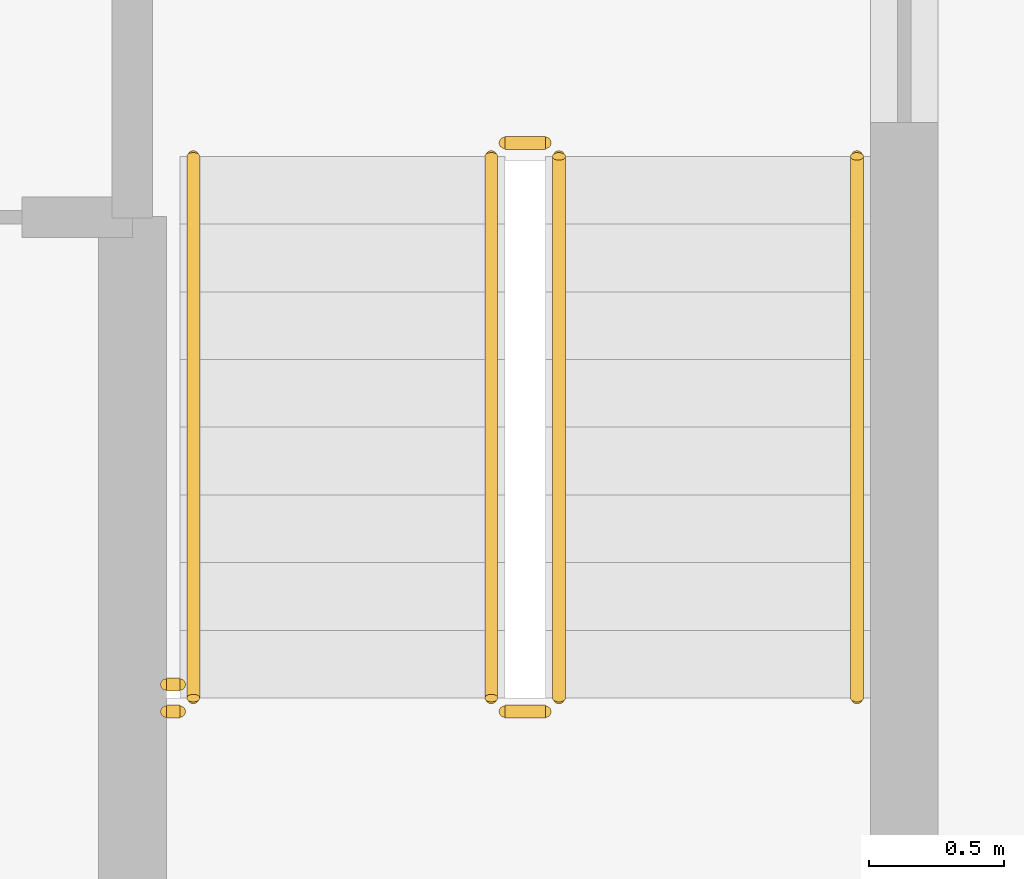
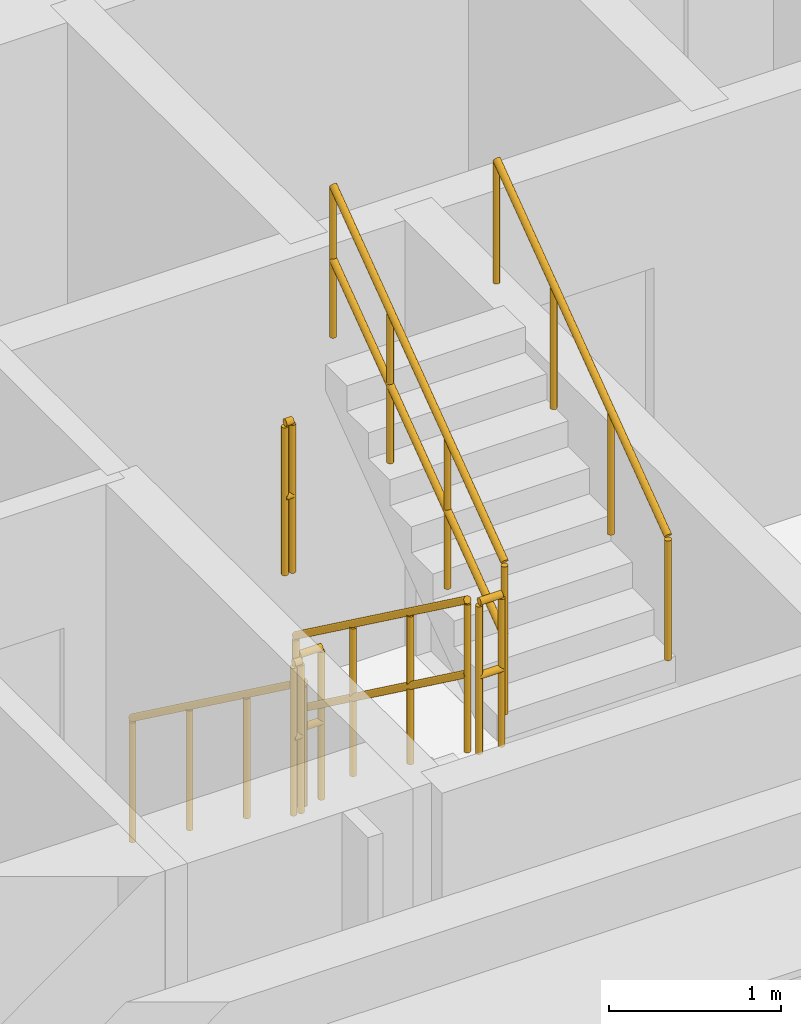
# One storey, part 15 of 18: 8 railings.
"""IFC4 building model written with IfcOpenShell, lengths in metres."""

from ifc_helpers import new_model, si_unit, direction, frame, origin, origin_2d, place, context, subcontext, project, spatial, circle, extrude, material, type_object, element, save


model = new_model("IFC4")

# Units and contexts
model_context = context("Model", 3, precision=1e-05, world=origin(), true_north=direction((0.0, 1.0)))
body_context = subcontext(model_context, "Body", "Model", "MODEL_VIEW")
ifc_project = project(units=[si_unit("LENGTHUNIT", "METRE"), si_unit("AREAUNIT", "SQUARE_METRE"), si_unit("VOLUMEUNIT", "CUBIC_METRE"), si_unit("PLANEANGLEUNIT", "RADIAN"), si_unit("MASSUNIT", "GRAM", prefix="KILO")], contexts=[model_context])

# Site, building, storey
site_placement = place(None, origin())
site = spatial("IfcSite", under=ifc_project, at=site_placement, CompositionType="ELEMENT")
building_placement = place(site_placement, origin())
building = spatial("IfcBuilding", under=site, at=building_placement, Name="Nakaniwa Court", CompositionType="ELEMENT")
storey_placement = place(building_placement, frame((0.0, 0.0, 176.699951171875)))
storey = spatial("IfcBuildingStorey", under=building, at=storey_placement, Name="L45", CompositionType="ELEMENT", Elevation=176.699951171875)

# Railings
ifc_material_1 = material(Name="Black powder coated steel guard", Category="steel")
railing_type_1 = type_object("IfcRailingType", Name="Stair guard 1100", PredefinedType="GUARDRAIL", material=ifc_material_1)
railing_1_placement = place(storey_placement, frame((81.875, 61.824951171875, 0.183349609375)))
element("IfcRailing", 1, at=railing_1_placement, inside=storey, type_object=railing_type_1, Name="L45 ST4 stair guard 1", PredefinedType="GUARDRAIL", context=body_context, shape_type="SweptSolid", body=[
    extrude(circle(Radius=0.02392578125, at=origin_2d()), frame((0.0, 0.0, 1.076171875), z_axis=(0.0, -0.806379959628, 0.591397802423), x_axis=(1.0, 0.0, 0.0)), (0.0, 0.0, 1.0), 2.480224609375),
    extrude(circle(Radius=0.02392578125, at=origin_2d()), frame((0.0, 0.0, 0.550048828125), z_axis=(0.0, -0.806379959628, 0.591397802423), x_axis=(1.0, 0.0, 0.0)), (0.0, 0.0, 1.0), 2.480224609375),
    extrude(circle(Radius=0.02099609375, at=origin_2d()), origin(), (0.0, 0.0, 1.0), 1.052001953125),
    extrude(circle(Radius=0.02099609375, at=origin_2d()), frame((0.0, -0.666748046875, 0.489013671875)), (0.0, 0.0, 1.0), 1.052001953125),
    extrude(circle(Radius=0.02099609375, at=origin_2d()), frame((0.0, -1.333251953125, 0.977783203125)), (0.0, 0.0, 1.0), 1.052001953125),
    extrude(circle(Radius=0.02099609375, at=origin_2d()), frame((0.0, -2.0, 1.466796875)), (0.0, 0.0, 1.0), 1.052001953125),
])
railing_2_placement = place(storey_placement, frame((81.925048828125, 59.77490234375, 1.650146484375)))
element("IfcRailing", 2, at=railing_2_placement, inside=storey, type_object=railing_type_1, Name="L45 ST4 stair guard 2", PredefinedType="GUARDRAIL", context=body_context, shape_type="SweptSolid", body=[
    extrude(circle(Radius=0.02392578125, at=origin_2d()), frame((0.0, 0.0, 1.076171875), z_axis=(1.0, 0.0, 0.0), x_axis=(0.0, 1.0, 0.0)), (0.0, 0.0, 1.0), 0.14990234375),
    extrude(circle(Radius=0.02392578125, at=origin_2d()), frame((0.0, 0.0, 0.550048828125), z_axis=(1.0, 0.0, 0.0), x_axis=(0.0, 1.0, 0.0)), (0.0, 0.0, 1.0), 0.14990234375),
    extrude(circle(Radius=0.02099609375, at=origin_2d()), origin(), (0.0, 0.0, 1.0), 1.052001953125),
    extrude(circle(Radius=0.02099609375, at=origin_2d()), frame((0.14990234375, 0.0, 0.0)), (0.0, 0.0, 1.0), 1.052001953125),
])
railing_3_placement = place(storey_placement, frame((82.125, 59.824951171875, 1.83349609375)))
element("IfcRailing", 3, at=railing_3_placement, inside=storey, type_object=railing_type_1, Name="L45 ST4 stair guard 3", PredefinedType="GUARDRAIL", context=body_context, shape_type="SweptSolid", body=[
    extrude(circle(Radius=0.02392578125, at=origin_2d()), frame((0.0, 0.0, 1.076171875), z_axis=(0.0, 0.806426902644, 0.591333789573), x_axis=(-1.0, 0.0, 0.0)), (0.0, 0.0, 1.0), 2.47998046875),
    extrude(circle(Radius=0.02392578125, at=origin_2d()), frame((0.0, 0.0, 0.550048828125), z_axis=(0.0, 0.806426902644, 0.591333789573), x_axis=(-1.0, 0.0, 0.0)), (0.0, 0.0, 1.0), 2.47998046875),
    extrude(circle(Radius=0.02099609375, at=origin_2d()), origin(), (0.0, 0.0, 1.0), 1.052001953125),
    extrude(circle(Radius=0.02099609375, at=origin_2d()), frame((0.0, 0.666748046875, 0.48876953125)), (0.0, 0.0, 1.0), 1.052001953125),
    extrude(circle(Radius=0.02099609375, at=origin_2d()), frame((0.0, 1.333251953125, 0.977783203125)), (0.0, 0.0, 1.0), 1.052001953125),
    extrude(circle(Radius=0.02099609375, at=origin_2d()), frame((0.0, 2.0, 1.466552734375)), (0.0, 0.0, 1.0), 1.052001953125),
])
railing_4_placement = place(storey_placement, frame((81.925048828125, 61.875, 0.0)))
element("IfcRailing", 4, at=railing_4_placement, inside=storey, type_object=railing_type_1, Name="L45 ST4 stair guard 4", PredefinedType="GUARDRAIL", context=body_context, shape_type="SweptSolid", body=[
    extrude(circle(Radius=0.02392578125, at=origin_2d()), frame((0.0, 0.0, 1.076171875), z_axis=(1.0, 0.0, 0.0), x_axis=(0.0, 1.0, 0.0)), (0.0, 0.0, 1.0), 0.14990234375),
    extrude(circle(Radius=0.02392578125, at=origin_2d()), frame((0.0, 0.0, 0.550048828125), z_axis=(1.0, 0.0, 0.0), x_axis=(0.0, 1.0, 0.0)), (0.0, 0.0, 1.0), 0.14990234375),
    extrude(circle(Radius=0.02099609375, at=origin_2d()), origin(), (0.0, 0.0, 1.0), 1.052001953125),
    extrude(circle(Radius=0.02099609375, at=origin_2d()), frame((0.14990234375, 0.0, 0.0)), (0.0, 0.0, 1.0), 1.052001953125),
])
for number, where, name in (
    (5, (80.675048828125, 59.77490234375, 1.650146484375), "L45 ST4 landing side guard 1W"),
    (6, (80.675048828125, 59.875, 3.300048828125), "L45 ST4 floor edge guard 1W"),
):
    element("IfcRailing", number, at=place(storey_placement, frame(where)), inside=storey, type_object=railing_type_1, Name=name, PredefinedType="GUARDRAIL", context=body_context, shape_type="SweptSolid", body=[
        extrude(circle(Radius=0.02392578125, at=origin_2d()), frame((0.0, 0.0, 1.076171875), z_axis=(1.0, 0.0, 0.0), x_axis=(0.0, 1.0, 0.0)), (0.0, 0.0, 1.0), 0.050048828125),
        extrude(circle(Radius=0.02392578125, at=origin_2d()), frame((0.0, 0.0, 0.550048828125), z_axis=(1.0, 0.0, 0.0), x_axis=(0.0, 1.0, 0.0)), (0.0, 0.0, 1.0), 0.050048828125),
        extrude(circle(Radius=0.02099609375, at=origin_2d()), origin(), (0.0, 0.0, 1.0), 1.052001953125),
        extrude(circle(Radius=0.02099609375, at=origin_2d()), frame((0.050048828125, 0.0, 0.0)), (0.0, 0.0, 1.0), 1.052001953125),
    ])
ifc_material_2 = material(Name="Black powder coated steel handrail", Category="steel")
railing_type_2 = type_object("IfcRailingType", Name="Stair handrail 900", PredefinedType="HANDRAIL", material=ifc_material_2)
railing_5_placement = place(storey_placement, frame((80.77490234375, 61.824951171875, 0.183349609375)))
element("IfcRailing", 7, at=railing_5_placement, inside=storey, type_object=railing_type_2, Name="L45 ST4 stair handrail 1", PredefinedType="HANDRAIL", context=body_context, shape_type="SweptSolid", body=[
    extrude(circle(Radius=0.02392578125, at=origin_2d()), frame((0.0, 0.0, 0.8759765625), z_axis=(0.0, -0.806379959628, 0.591397802423), x_axis=(1.0, 0.0, 0.0)), (0.0, 0.0, 1.0), 2.480224609375),
    extrude(circle(Radius=0.02099609375, at=origin_2d()), origin(), (0.0, 0.0, 1.0), 0.851806640625),
    extrude(circle(Radius=0.02099609375, at=origin_2d()), frame((0.0, -0.666748046875, 0.489013671875)), (0.0, 0.0, 1.0), 0.851806640625),
    extrude(circle(Radius=0.02099609375, at=origin_2d()), frame((0.0, -1.333251953125, 0.977783203125)), (0.0, 0.0, 1.0), 0.851806640625),
    extrude(circle(Radius=0.02099609375, at=origin_2d()), frame((0.0, -2.0, 1.466796875)), (0.0, 0.0, 1.0), 0.851806640625),
])
railing_6_placement = place(storey_placement, frame((83.22509765625, 59.824951171875, 1.83349609375)))
element("IfcRailing", 8, at=railing_6_placement, inside=storey, type_object=railing_type_2, Name="L45 ST4 stair handrail 2", PredefinedType="HANDRAIL", context=body_context, shape_type="SweptSolid", body=[
    extrude(circle(Radius=0.02392578125, at=origin_2d()), frame((0.0, 0.0, 0.8759765625), z_axis=(0.0, 0.806426902644, 0.591333789573), x_axis=(-1.0, 0.0, 0.0)), (0.0, 0.0, 1.0), 2.47998046875),
    extrude(circle(Radius=0.02099609375, at=origin_2d()), origin(), (0.0, 0.0, 1.0), 0.851806640625),
    extrude(circle(Radius=0.02099609375, at=origin_2d()), frame((0.0, 0.666748046875, 0.48876953125)), (0.0, 0.0, 1.0), 0.851806640625),
    extrude(circle(Radius=0.02099609375, at=origin_2d()), frame((0.0, 1.333251953125, 0.977783203125)), (0.0, 0.0, 1.0), 0.851806640625),
    extrude(circle(Radius=0.02099609375, at=origin_2d()), frame((0.0, 2.0, 1.466552734375)), (0.0, 0.0, 1.0), 0.851806640625),
])

save(model, "model.ifc")
